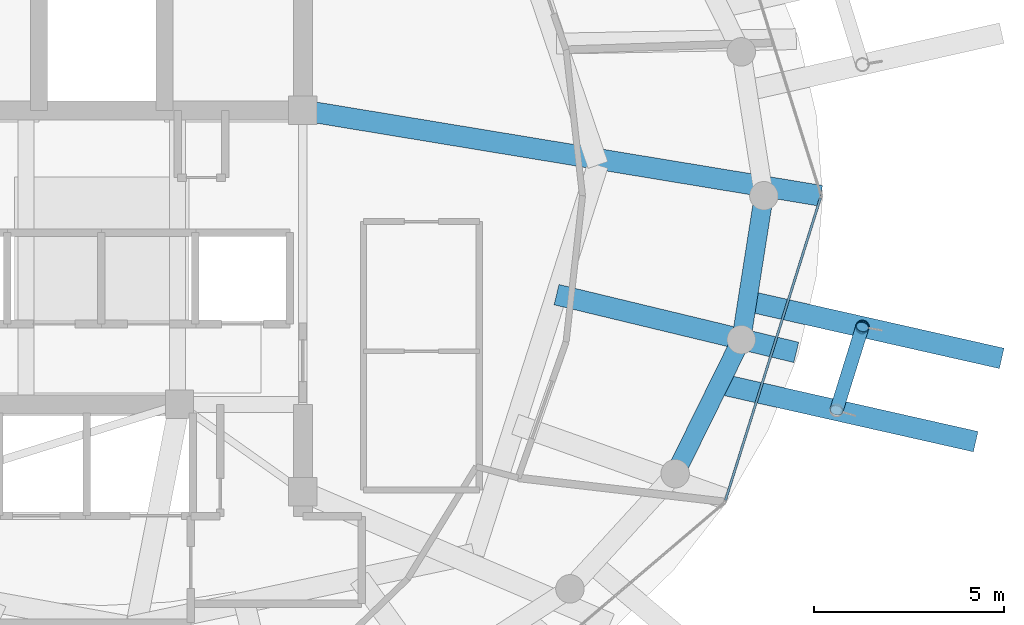
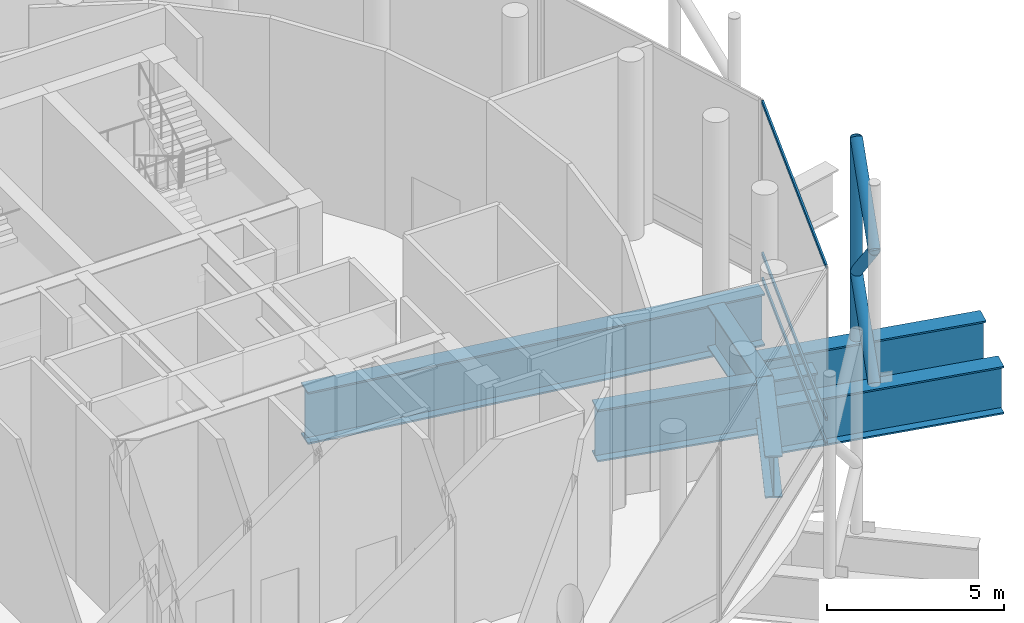
# One storey, part 15 of 26: 7 members, 6 beams, 1 element without a shape of its own.
"""IFC4 building model written with IfcOpenShell, lengths in metres."""

from ifc_helpers import new_model, si_unit, direction, frame, origin, origin_2d, place, context, subcontext, project, spatial, hollow_rectangle, hollow_circle, i_section, extrude, material, layer, layer_set, material_profile, profile_set, type_object, element, aggregate, save


model = new_model("IFC4")

# Units and contexts
model_context = context("Model", 3, precision=1e-05, world=origin(), true_north=direction((0.0, 1.0)))
body_context = subcontext(model_context, "Body", "Model", "MODEL_VIEW")
ifc_project = project(units=[si_unit("LENGTHUNIT", "METRE"), si_unit("AREAUNIT", "SQUARE_METRE"), si_unit("VOLUMEUNIT", "CUBIC_METRE"), si_unit("PLANEANGLEUNIT", "RADIAN"), si_unit("MASSUNIT", "GRAM", prefix="KILO")], contexts=[model_context])

# Site, building, storey
site_placement = place(None, origin())
site = spatial("IfcSite", under=ifc_project, at=site_placement, CompositionType="ELEMENT")
building_placement = place(site_placement, origin())
building = spatial("IfcBuilding", under=site, at=building_placement, Name="Nuhasar Tower", CompositionType="ELEMENT")
storey_placement = place(building_placement, frame((0.0, 0.0, 306.800048828125)))
storey = spatial("IfcBuildingStorey", under=building, at=storey_placement, Name="L76", CompositionType="ELEMENT", Elevation=306.800048828125)

# Beams
ifc_material_1 = material(Name="Steel S460", Category="steel")
ifc_material_profile_1 = material_profile(ifc_material_1, i_section(OverallWidth=0.5, OverallDepth=1.449951171875, WebThickness=0.028076171875, FlangeThickness=0.050048828125, at=origin_2d()), Name="PG1450X500")
ifc_profile_set_1 = profile_set([ifc_material_profile_1], Name="Steel S460")
beam_type_1 = type_object("IfcBeamType", Name="BM-XFER-PG1450", PredefinedType="USERDEFINED", material=ifc_profile_set_1)
beam_1_placement = place(storey_placement, frame((54.112060546875, 19.47509765625, -1.074951171875), z_axis=(0.442422907363, 0.896806540476, 0.0), x_axis=(-0.896806540476, 0.442422907363, 0.0)))
element("IfcBeam", 1, at=beam_1_placement, inside=storey, type_object=beam_type_1, Name="L76 Perimeter Ring Spandrel 23", ObjectType="GIRDER", PredefinedType="USERDEFINED", context=body_context, shape_type="SweptSolid", body=[
    extrude(i_section(OverallWidth=0.5, OverallDepth=1.449951171875, WebThickness=0.028076171875, FlangeThickness=0.050048828125, at=origin_2d()), origin(), (0.0, 0.0, 1.0), 3.939453125),
])
beam_2_placement = place(storey_placement, frame((55.85498046875, 23.008056640625, -1.074951171875), z_axis=(0.155005502158, 0.987913606699, 0.0), x_axis=(-0.987913606699, 0.155005502158, 0.0)))
element("IfcBeam", 2, at=beam_2_placement, inside=storey, type_object=beam_type_1, Name="L76 Perimeter Ring Spandrel 24", ObjectType="GIRDER", PredefinedType="USERDEFINED", context=body_context, shape_type="SweptSolid", body=[
    extrude(i_section(OverallWidth=0.5, OverallDepth=1.449951171875, WebThickness=0.028076171875, FlangeThickness=0.050048828125, at=origin_2d()), origin(), (0.0, 0.0, 1.0), 3.83837890625),
])
ifc_material_profile_2 = material_profile(ifc_material_1, i_section(OverallWidth=0.550048828125, OverallDepth=1.64990234375, WebThickness=0.031982421875, FlangeThickness=0.054931640625, at=origin_2d()), Name="PG1650X550")
ifc_profile_set_2 = profile_set([ifc_material_profile_2], Name="Steel S460")
beam_type_2 = type_object("IfcBeamType", Name="BM-XFER-PG1650", PredefinedType="USERDEFINED", material=ifc_profile_set_2)
beam_3_placement = place(storey_placement, frame((55.280029296875, 21.843017578125, -1.175048828125), z_axis=(0.975469835371, -0.220133142169, 0.0), x_axis=(0.220133142169, 0.975469835371, 0.0)))
element("IfcBeam", 3, at=beam_3_placement, inside=storey, type_object=beam_type_2, Name="L76 Exoskeleton Step Transfer Girder 23", ObjectType="GIRDER", PredefinedType="USERDEFINED", context=body_context, shape_type="SweptSolid", body=[
    extrude(i_section(OverallWidth=0.550048828125, OverallDepth=1.64990234375, WebThickness=0.031982421875, FlangeThickness=0.054931640625, at=origin_2d()), origin(), (0.0, 0.0, 1.0), 6.9228515625),
])
beam_4_placement = place(storey_placement, frame((56.014892578125, 24.027099609375, -1.175048828125), z_axis=(0.975454296874, -0.220201986161, 0.0), x_axis=(0.220201986161, 0.975454296874, 0.0)))
element("IfcBeam", 4, at=beam_4_placement, inside=storey, type_object=beam_type_2, Name="L76 Exoskeleton Step Transfer Girder 24", ObjectType="GIRDER", PredefinedType="USERDEFINED", context=body_context, shape_type="SweptSolid", body=[
    extrude(i_section(OverallWidth=0.550048828125, OverallDepth=1.64990234375, WebThickness=0.031982421875, FlangeThickness=0.054931640625, at=origin_2d()), origin(), (0.0, 0.0, 1.0), 6.871826171875),
])
ifc_material_profile_3 = material_profile(ifc_material_1, i_section(OverallWidth=0.550048828125, OverallDepth=1.800048828125, WebThickness=0.031982421875, FlangeThickness=0.054931640625, at=origin_2d()), Name="PG1800X550")
ifc_profile_set_3 = profile_set([ifc_material_profile_3], Name="Steel S460")
beam_type_3 = type_object("IfcBeamType", Name="BM-XFER-PG1800", PredefinedType="USERDEFINED", material=ifc_profile_set_3)
beam_5_placement = place(storey_placement, frame((44.300048828125, 29.050048828125, -1.25), z_axis=(0.986685215874, -0.162641583786, 0.0), x_axis=(0.162641583786, 0.986685215874, 0.0)))
element("IfcBeam", 5, at=beam_5_placement, inside=storey, type_object=beam_type_3, Name="L76 Radial Floor Girder 04", ObjectType="GIRDER", PredefinedType="USERDEFINED", context=body_context, shape_type="SweptSolid", body=[
    extrude(i_section(OverallWidth=0.550048828125, OverallDepth=1.800048828125, WebThickness=0.031982421875, FlangeThickness=0.054931640625, at=origin_2d()), origin(), (0.0, 0.0, 1.0), 13.833984375),
])
beam_6_placement = place(storey_placement, frame((50.986083984375, 24.194091796875, -1.25), z_axis=(0.97218848141, -0.234199821977, 0.0), x_axis=(0.234199821977, 0.97218848141, 0.0)))
element("IfcBeam", 6, at=beam_6_placement, inside=storey, type_object=beam_type_3, Name="L76 Inner Column Transfer Girder 24", ObjectType="GIRDER", PredefinedType="USERDEFINED", context=body_context, shape_type="SweptSolid", body=[
    extrude(i_section(OverallWidth=0.550048828125, OverallDepth=1.800048828125, WebThickness=0.031982421875, FlangeThickness=0.054931640625, at=origin_2d()), origin(), (0.0, 0.0, 1.0), 6.49853515625),
])

# Curtain wall, members
ifc_material_2 = material(Name="Aluminium 6063-T6", Category="aluminium")
ifc_layer = layer(ifc_material_2, 0.239990234375)
ifc_layer_set = layer_set([ifc_layer], Name="Aluminium 6063-T6")
curtain_wall_type = type_object("IfcCurtainWallType", Name="CW-SKY-LBY", PredefinedType="NOTDEFINED", material=ifc_layer_set)
curtain_wall_placement = place(storey_placement, origin())
curtain_wall = element("IfcCurtainWall", 7, at=curtain_wall_placement, inside=storey, type_object=curtain_wall_type, Name="L76 Unitised Curtain Wall 12", PredefinedType="NOTDEFINED")
ifc_material_profile_4 = material_profile(ifc_material_2, hollow_rectangle(XDim=0.06005859375, YDim=0.1298828125, WallThickness=0.00439453125, at=origin_2d()), Name="CWT-6")
ifc_profile_set_4 = profile_set([ifc_material_profile_4], Name="Aluminium 6063-T6")
member_type_1 = type_object("IfcMemberType", Name="CW-TRN-S6", PredefinedType="USERDEFINED", material=ifc_profile_set_4)
member_1_placement = place(storey_placement, frame((55.43798828125, 18.77734375, 0.030029296875), z_axis=(0.299882859925, 0.953976032363, 0.0), x_axis=(-0.953976032363, 0.299882859925, 0.0)))
member_1 = element("IfcMember", 8, at=member_1_placement, type_object=member_type_1, Name="CW-SL transom 1.1", ObjectType="TRANSOM", PredefinedType="USERDEFINED", context=body_context, shape_type="SweptSolid", body=[
    extrude(hollow_rectangle(XDim=0.06005859375, YDim=0.1298828125, WallThickness=0.00439453125, at=origin_2d()), origin(), (0.0, 0.0, 1.0), 8.349609375),
])
member_2_placement = place(storey_placement, frame((55.43798828125, 18.77734375, 0.89990234375), z_axis=(0.299882859925, 0.953976032363, 0.0), x_axis=(-0.953976032363, 0.299882859925, 0.0)))
member_2 = element("IfcMember", 9, at=member_2_placement, type_object=member_type_1, Name="CW-SL transom 1.2", ObjectType="TRANSOM", PredefinedType="USERDEFINED", context=body_context, shape_type="SweptSolid", body=[
    extrude(hollow_rectangle(XDim=0.06005859375, YDim=0.1298828125, WallThickness=0.00439453125, at=origin_2d()), origin(), (0.0, 0.0, 1.0), 8.349609375),
])
member_3_placement = place(storey_placement, frame((55.43798828125, 18.77734375, 6.14990234375), z_axis=(0.299882859925, 0.953976032363, 0.0), x_axis=(-0.953976032363, 0.299882859925, 0.0)))
member_3 = element("IfcMember", 10, at=member_3_placement, type_object=member_type_1, Name="CW-SL transom 1.3", ObjectType="TRANSOM", PredefinedType="USERDEFINED", context=body_context, shape_type="SweptSolid", body=[
    extrude(hollow_rectangle(XDim=0.06005859375, YDim=0.1298828125, WallThickness=0.00439453125, at=origin_2d()), origin(), (0.0, 0.0, 1.0), 8.349609375),
])
aggregate(curtain_wall, [member_1, member_2, member_3])

# Members
ifc_material_profile_5 = material_profile(ifc_material_1, hollow_circle(Radius=0.177734375, WallThickness=0.015869140625, at=origin_2d()), Name="HSS355.6X15.9")
ifc_profile_set_5 = profile_set([ifc_material_profile_5], Name="Steel S460")
member_type_2 = type_object("IfcMemberType", Name="EXO-BRONZE-356", PredefinedType="BRACE", material=ifc_profile_set_5)
member_4_placement = place(storey_placement, frame((59.0458984375, 23.343017578125, -0.35009765625), z_axis=(0.0, 0.0, 1.0), x_axis=(1.0, 0.0, 0.0)))
element("IfcMember", 11, at=member_4_placement, inside=storey, type_object=member_type_2, Name="L76 Exoskeleton Chord Column EC-12B", PredefinedType="BRACE", context=body_context, shape_type="SweptSolid", body=[
    extrude(hollow_circle(Radius=0.177734375, WallThickness=0.015869140625, at=origin_2d()), origin(), (0.0, 0.0, 1.0), 6.949951171875),
])
member_5_placement = place(storey_placement, frame((58.364013671875, 21.14697265625, -0.35009765625), z_axis=(0.20888121172, 0.672712674337, 0.709807225362), x_axis=(-0.955020598138, 0.296539469772, 0.0)))
element("IfcMember", 12, at=member_5_placement, inside=storey, type_object=member_type_2, Name="L76 Bronze Diagrid Brace W1-12", PredefinedType="BRACE", context=body_context, shape_type="SweptSolid", body=[
    extrude(hollow_circle(Radius=0.177734375, WallThickness=0.015869140625, at=origin_2d()), origin(), (0.0, 0.0, 1.0), 3.264404296875),
])
member_6_placement = place(storey_placement, frame((59.0458984375, 23.343017578125, 1.967041015625), z_axis=(-0.208936661105, -0.67289125193, 0.709621613765), x_axis=(0.955020598138, -0.296539469772, 0.0)))
element("IfcMember", 13, at=member_6_placement, inside=storey, type_object=member_type_2, Name="L76 Bronze Diagrid Brace W2-12", PredefinedType="BRACE", context=body_context, shape_type="SweptSolid", body=[
    extrude(hollow_circle(Radius=0.177734375, WallThickness=0.015869140625, at=origin_2d()), origin(), (0.0, 0.0, 1.0), 3.263671875),
])
member_7_placement = place(storey_placement, frame((58.364013671875, 21.14697265625, 4.282958984375), z_axis=(0.208892300402, 0.672748386008, 0.709770114866), x_axis=(-0.955020598138, 0.296539469772, 0.0)))
element("IfcMember", 14, at=member_7_placement, inside=storey, type_object=member_type_2, Name="L76 Bronze Diagrid Brace W3-12", PredefinedType="BRACE", context=body_context, shape_type="SweptSolid", body=[
    extrude(hollow_circle(Radius=0.177734375, WallThickness=0.015869140625, at=origin_2d()), origin(), (0.0, 0.0, 1.0), 3.264404296875),
])

save(model, "model.ifc")
